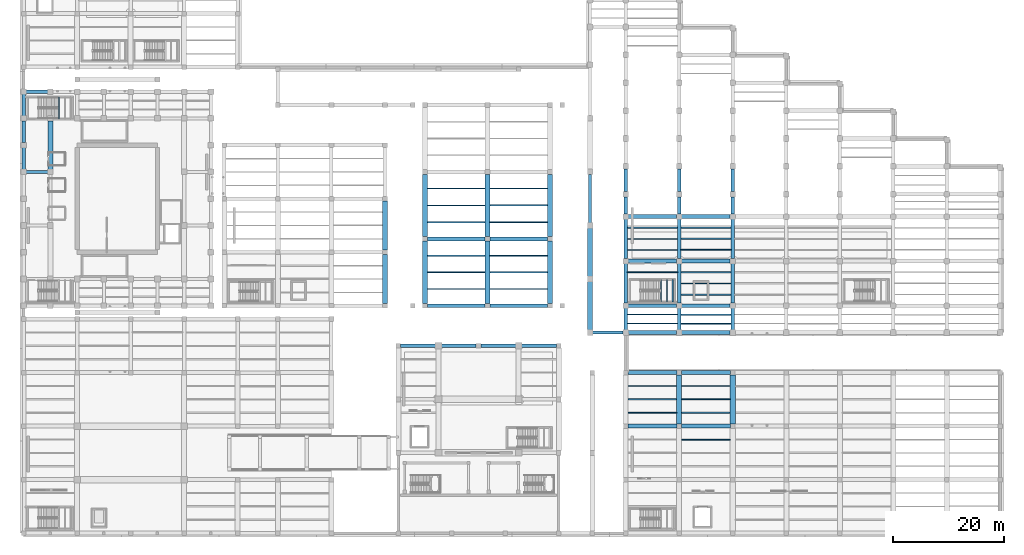
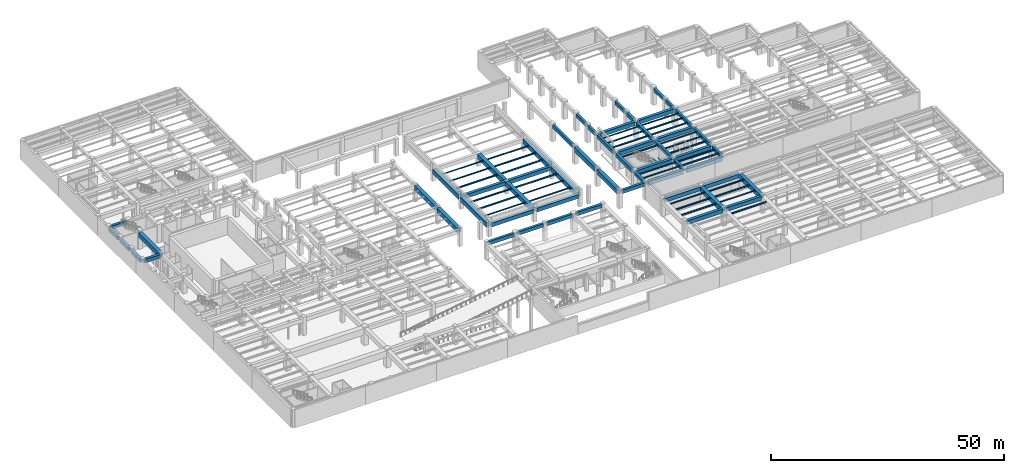
# One storey, part 17 of 45: 92 beams.
"""IFC4 building model written with IfcOpenShell, lengths in metres."""

from ifc_helpers import new_model, si_unit, direction, frame, origin, origin_2d, place, context, subcontext, project, spatial, rectangle, i_section, extrude, material, material_profile, profile_set, type_object, element, save


model = new_model("IFC4")

# Units and contexts
model_context = context("Model", 3, precision=1e-05, world=origin(), true_north=direction((0.0, 1.0)))
body_context = subcontext(model_context, "Body", "Model", "MODEL_VIEW")
ifc_project = project(units=[si_unit("LENGTHUNIT", "METRE"), si_unit("AREAUNIT", "SQUARE_METRE"), si_unit("VOLUMEUNIT", "CUBIC_METRE"), si_unit("PLANEANGLEUNIT", "RADIAN"), si_unit("MASSUNIT", "GRAM", prefix="KILO")], contexts=[model_context])

# Site, building, storey
site_placement = place(None, origin())
site = spatial("IfcSite", under=ifc_project, at=site_placement, CompositionType="ELEMENT")
building_placement = place(site_placement, origin())
building = spatial("IfcBuilding", under=site, at=building_placement, Name="Mavantir Sound Aquarium", CompositionType="ELEMENT")
storey_placement = place(building_placement, frame((0.0, 0.0, -4.800048828125)))
storey = spatial("IfcBuildingStorey", under=building, at=storey_placement, Name="B1", CompositionType="ELEMENT", Elevation=-4.800048828125)

# Beams
ifc_material_1 = material(Name="Concrete C40/50", Category="concrete")
ifc_material_profile_1 = material_profile(ifc_material_1, rectangle(XDim=0.60009765625, YDim=0.89990234375, at=origin_2d()), Name="RC 600X900")
ifc_profile_set_1 = profile_set([ifc_material_profile_1], Name="Concrete C40/50")
beam_type_1 = type_object("IfcBeamType", Name="BM-RC600X900-E", PredefinedType="BEAM", material=ifc_profile_set_1)
beam_1_placement = place(storey_placement, frame((0.449951171875, 79.199951171875, 3.946044921875), z_axis=(1.0, 0.0, 0.0), x_axis=(0.0, 1.0, 0.0)))
element("IfcBeam", 1, at=beam_1_placement, inside=storey, type_object=beam_type_1, Name="B1 primary beam RCB-09 472", PredefinedType="BEAM", context=body_context, shape_type="SweptSolid", body=[
    extrude(rectangle(XDim=0.60009765625, YDim=0.89990234375, at=origin_2d()), origin(), (0.0, 0.0, 1.0), 3.900146484375),
])
for number, where, z_axis, x_axis, name in (
    (2, (0.0, 65.25, 3.946044921875), (0.0, 1.0, 0.0), (-1.0, 0.0, 0.0), "B1 primary girder RCB-09 484"),
    (3, (0.0, 70.050048828125, 3.946044921875), (0.0, 1.0, 0.0), (-1.0, 0.0, 0.0), "B1 primary girder RCB-09 485"),
    (4, (0.0, 74.85009765625, 3.946044921875), (0.0, 1.0, 0.0), (-1.0, 0.0, 0.0), "B1 primary girder RCB-09 486"),
):
    element("IfcBeam", number, at=place(storey_placement, frame(where, z_axis=z_axis, x_axis=x_axis)), inside=storey, type_object=beam_type_1, Name=name, PredefinedType="BEAM", context=body_context, shape_type="SweptSolid", body=[
        extrude(rectangle(XDim=0.60009765625, YDim=0.89990234375, at=origin_2d()), origin(), (0.0, 0.0, 1.0), 3.89990234375),
    ])
beam_2_placement = place(storey_placement, frame((102.050048828125, 36.0, 4.01611328125), z_axis=(1.0, 0.0, 0.0), x_axis=(0.0, 1.0, 0.0)))
element("IfcBeam", 5, at=beam_2_placement, inside=storey, type_object=beam_type_1, Name="B1 primary beam RCB-09 583", PredefinedType="BEAM", context=body_context, shape_type="SweptSolid", body=[
    extrude(rectangle(XDim=0.60009765625, YDim=0.89990234375, at=origin_2d()), origin(), (0.0, 0.0, 1.0), 5.5),
])
beam_3_placement = place(storey_placement, frame((101.60009765625, 55.64990234375, 4.01611328125), z_axis=(0.0, 1.0, 0.0), x_axis=(-1.0, 0.0, 0.0)))
element("IfcBeam", 6, at=beam_3_placement, inside=storey, type_object=beam_type_1, Name="B1 primary girder RCB-09 625", PredefinedType="BEAM", context=body_context, shape_type="SweptSolid", body=[
    extrude(rectangle(XDim=0.60009765625, YDim=0.89990234375, at=origin_2d()), origin(), (0.0, 0.0, 1.0), 8.7001953125),
])
for number, where, z_axis, x_axis, name in (
    (7, (67.625, 33.60009765625, 4.046142578125), (1.0, 0.0, 0.0), (0.0, 1.0, 0.0), "B1 primary beam RCB-09 793"),
    (8, (74.85009765625, 33.60009765625, 4.046142578125), (1.0, 0.0, 0.0), (0.0, 1.0, 0.0), "B1 primary beam RCB-09 794"),
):
    element("IfcBeam", number, at=place(storey_placement, frame(where, z_axis=z_axis, x_axis=x_axis)), inside=storey, type_object=beam_type_1, Name=name, PredefinedType="BEAM", context=body_context, shape_type="SweptSolid", body=[
        extrude(rectangle(XDim=0.60009765625, YDim=0.89990234375, at=origin_2d()), origin(), (0.0, 0.0, 1.0), 6.324951171875),
    ])
beam_4_placement = place(storey_placement, frame((82.02490234375, 33.60009765625, 4.046142578125), z_axis=(1.0, 0.0, 0.0), x_axis=(0.0, 1.0, 0.0)))
element("IfcBeam", 9, at=beam_4_placement, inside=storey, type_object=beam_type_1, Name="B1 primary beam RCB-09 795", PredefinedType="BEAM", context=body_context, shape_type="SweptSolid", body=[
    extrude(rectangle(XDim=0.60009765625, YDim=0.89990234375, at=origin_2d()), origin(), (0.0, 0.0, 1.0), 6.3251953125),
])
beam_5_placement = place(storey_placement, frame((89.25, 33.60009765625, 4.046142578125), z_axis=(1.0, 0.0, 0.0), x_axis=(0.0, 1.0, 0.0)))
element("IfcBeam", 10, at=beam_5_placement, inside=storey, type_object=beam_type_1, Name="B1 primary beam RCB-09 796", PredefinedType="BEAM", context=body_context, shape_type="SweptSolid", body=[
    extrude(rectangle(XDim=0.60009765625, YDim=0.89990234375, at=origin_2d()), origin(), (0.0, 0.0, 1.0), 6.324951171875),
])
ifc_material_profile_2 = material_profile(ifc_material_1, rectangle(XDim=0.60009765625, YDim=0.89990234375, at=origin_2d()), Name="RC 600X900")
ifc_profile_set_2 = profile_set([ifc_material_profile_2], Name="Concrete C40/50")
beam_type_2 = type_object("IfcBeamType", Name="BM-RC600X900-I", PredefinedType="BEAM", material=ifc_profile_set_2)
for number, where, z_axis, x_axis, name in (
    (11, (0.449951171875, 64.800048828125, 3.946044921875), (1.0, 0.0, 0.0), (0.0, 1.0, 0.0), "B1 primary beam RCB-09 465"),
    (12, (108.0, 36.449951171875, 4.01611328125), (0.0, 1.0, 0.0), (-1.0, 0.0, 0.0), "B1 primary girder RCB-09 630"),
):
    element("IfcBeam", number, at=place(storey_placement, frame(where, z_axis=z_axis, x_axis=x_axis)), inside=storey, type_object=beam_type_2, Name=name, PredefinedType="BEAM", context=body_context, shape_type="SweptSolid", body=[
        extrude(rectangle(XDim=0.60009765625, YDim=0.89990234375, at=origin_2d()), origin(), (0.0, 0.0, 1.0), 3.900146484375),
    ])
for number, where, z_axis, x_axis, name in (
    (13, (108.0, 41.25, 4.01611328125), (0.0, 1.0, 0.0), (-1.0, 0.0, 0.0), "B1 primary girder RCB-09 631"),
    (14, (108.0, 49.25, 4.01611328125), (0.0, 1.0, 0.0), (-1.0, 0.0, 0.0), "B1 primary girder RCB-09 632"),
):
    element("IfcBeam", number, at=place(storey_placement, frame(where, z_axis=z_axis, x_axis=x_axis)), inside=storey, type_object=beam_type_2, Name=name, PredefinedType="BEAM", context=body_context, shape_type="SweptSolid", body=[
        extrude(rectangle(XDim=0.60009765625, YDim=0.89990234375, at=origin_2d()), origin(), (0.0, 0.0, 1.0), 7.10009765625),
    ])
beam_6_placement = place(storey_placement, frame((108.0, 57.25, 4.01611328125), z_axis=(0.0, 1.0, 0.0), x_axis=(-1.0, 0.0, 0.0)))
element("IfcBeam", 15, at=beam_6_placement, inside=storey, type_object=beam_type_2, Name="B1 primary girder RCB-09 633", PredefinedType="BEAM", context=body_context, shape_type="SweptSolid", body=[
    extrude(rectangle(XDim=0.60009765625, YDim=0.89990234375, at=origin_2d()), origin(), (0.0, 0.0, 1.0), 3.10009765625),
])
beam_7_placement = place(storey_placement, frame((108.0, 61.25, 4.01611328125), z_axis=(0.0, 1.0, 0.0), x_axis=(-1.0, 0.0, 0.0)))
element("IfcBeam", 16, at=beam_7_placement, inside=storey, type_object=beam_type_2, Name="B1 primary girder RCB-09 634", PredefinedType="BEAM", context=body_context, shape_type="SweptSolid", body=[
    extrude(rectangle(XDim=0.60009765625, YDim=0.89990234375, at=origin_2d()), origin(), (0.0, 0.0, 1.0), 4.10009765625),
])
beam_8_placement = place(storey_placement, frame((117.60009765625, 36.449951171875, 4.01611328125), z_axis=(0.0, 1.0, 0.0), x_axis=(-1.0, 0.0, 0.0)))
element("IfcBeam", 17, at=beam_8_placement, inside=storey, type_object=beam_type_2, Name="B1 primary girder RCB-09 641", PredefinedType="BEAM", context=body_context, shape_type="SweptSolid", body=[
    extrude(rectangle(XDim=0.60009765625, YDim=0.89990234375, at=origin_2d()), origin(), (0.0, 0.0, 1.0), 3.900146484375),
])
for number, where, z_axis, x_axis, name in (
    (18, (117.60009765625, 41.25, 4.01611328125), (0.0, 1.0, 0.0), (-1.0, 0.0, 0.0), "B1 primary girder RCB-09 642"),
    (19, (117.60009765625, 49.25, 4.01611328125), (0.0, 1.0, 0.0), (-1.0, 0.0, 0.0), "B1 primary girder RCB-09 643"),
):
    element("IfcBeam", number, at=place(storey_placement, frame(where, z_axis=z_axis, x_axis=x_axis)), inside=storey, type_object=beam_type_2, Name=name, PredefinedType="BEAM", context=body_context, shape_type="SweptSolid", body=[
        extrude(rectangle(XDim=0.60009765625, YDim=0.89990234375, at=origin_2d()), origin(), (0.0, 0.0, 1.0), 7.10009765625),
    ])
beam_9_placement = place(storey_placement, frame((117.60009765625, 57.25, 4.01611328125), z_axis=(0.0, 1.0, 0.0), x_axis=(-1.0, 0.0, 0.0)))
element("IfcBeam", 20, at=beam_9_placement, inside=storey, type_object=beam_type_2, Name="B1 primary girder RCB-09 644", PredefinedType="BEAM", context=body_context, shape_type="SweptSolid", body=[
    extrude(rectangle(XDim=0.60009765625, YDim=0.89990234375, at=origin_2d()), origin(), (0.0, 0.0, 1.0), 3.10009765625),
])
beam_10_placement = place(storey_placement, frame((117.60009765625, 61.25, 4.01611328125), z_axis=(0.0, 1.0, 0.0), x_axis=(-1.0, 0.0, 0.0)))
element("IfcBeam", 21, at=beam_10_placement, inside=storey, type_object=beam_type_2, Name="B1 primary girder RCB-09 645", PredefinedType="BEAM", context=body_context, shape_type="SweptSolid", body=[
    extrude(rectangle(XDim=0.60009765625, YDim=0.89990234375, at=origin_2d()), origin(), (0.0, 0.0, 1.0), 4.10009765625),
])
beam_11_placement = place(storey_placement, frame((127.199951171875, 36.449951171875, 4.01611328125), z_axis=(0.0, 1.0, 0.0), x_axis=(-1.0, 0.0, 0.0)))
element("IfcBeam", 22, at=beam_11_placement, inside=storey, type_object=beam_type_2, Name="B1 primary girder RCB-09 652", PredefinedType="BEAM", context=body_context, shape_type="SweptSolid", body=[
    extrude(rectangle(XDim=0.60009765625, YDim=0.89990234375, at=origin_2d()), origin(), (0.0, 0.0, 1.0), 3.900146484375),
])
for number, where, z_axis, x_axis, name in (
    (23, (127.199951171875, 41.25, 4.0361328125), (0.0, 1.0, 0.0), (-1.0, 0.0, 0.0), "B1 primary girder RCB-09 653"),
    (24, (127.199951171875, 49.25, 4.0361328125), (0.0, 1.0, 0.0), (-1.0, 0.0, 0.0), "B1 primary girder RCB-09 654"),
):
    element("IfcBeam", number, at=place(storey_placement, frame(where, z_axis=z_axis, x_axis=x_axis)), inside=storey, type_object=beam_type_2, Name=name, PredefinedType="BEAM", context=body_context, shape_type="SweptSolid", body=[
        extrude(rectangle(XDim=0.60009765625, YDim=0.89990234375, at=origin_2d()), origin(), (0.0, 0.0, 1.0), 7.10009765625),
    ])
beam_12_placement = place(storey_placement, frame((127.199951171875, 57.25, 4.0361328125), z_axis=(0.0, 1.0, 0.0), x_axis=(-1.0, 0.0, 0.0)))
element("IfcBeam", 25, at=beam_12_placement, inside=storey, type_object=beam_type_2, Name="B1 primary girder RCB-09 655", PredefinedType="BEAM", context=body_context, shape_type="SweptSolid", body=[
    extrude(rectangle(XDim=0.60009765625, YDim=0.89990234375, at=origin_2d()), origin(), (0.0, 0.0, 1.0), 3.10009765625),
])
beam_13_placement = place(storey_placement, frame((127.199951171875, 61.25, 4.0361328125), z_axis=(0.0, 1.0, 0.0), x_axis=(-1.0, 0.0, 0.0)))
element("IfcBeam", 26, at=beam_13_placement, inside=storey, type_object=beam_type_2, Name="B1 primary girder RCB-09 656", PredefinedType="BEAM", context=body_context, shape_type="SweptSolid", body=[
    extrude(rectangle(XDim=0.60009765625, YDim=0.89990234375, at=origin_2d()), origin(), (0.0, 0.0, 1.0), 4.10009765625),
])
ifc_material_profile_3 = material_profile(ifc_material_1, rectangle(XDim=0.699951171875, YDim=1.0, at=origin_2d()), Name="RC 700X1000")
ifc_profile_set_3 = profile_set([ifc_material_profile_3], Name="Concrete C40/50")
beam_type_3 = type_object("IfcBeamType", Name="BM-RC700X1000-E", PredefinedType="BEAM", material=ifc_profile_set_3)
for number, where, z_axis, x_axis, name in (
    (27, (108.449951171875, 36.0, 3.966064453125), (1.0, 0.0, 0.0), (0.0, 1.0, 0.0), "B1 primary beam RCB-10 584"),
    (28, (118.050048828125, 36.0, 3.966064453125), (1.0, 0.0, 0.0), (0.0, 1.0, 0.0), "B1 primary beam RCB-10 585"),
):
    element("IfcBeam", number, at=place(storey_placement, frame(where, z_axis=z_axis, x_axis=x_axis)), inside=storey, type_object=beam_type_3, Name=name, PredefinedType="BEAM", context=body_context, shape_type="SweptSolid", body=[
        extrude(rectangle(XDim=0.699951171875, YDim=1.0, at=origin_2d()), origin(), (0.0, 0.0, 1.0), 8.699951171875),
    ])
for number, where, z_axis, x_axis, name in (
    (29, (108.425048828125, 28.800048828125, 3.946044921875), (1.0, 0.0, 0.0), (0.0, 1.0, 0.0), "B1 primary beam RCB-10 758"),
    (30, (118.02490234375, 28.800048828125, 3.946044921875), (1.0, 0.0, 0.0), (0.0, 1.0, 0.0), "B1 primary beam RCB-10 759"),
):
    element("IfcBeam", number, at=place(storey_placement, frame(where, z_axis=z_axis, x_axis=x_axis)), inside=storey, type_object=beam_type_3, Name=name, PredefinedType="BEAM", context=body_context, shape_type="SweptSolid", body=[
        extrude(rectangle(XDim=0.699951171875, YDim=1.0, at=origin_2d()), origin(), (0.0, 0.0, 1.0), 8.75),
    ])
ifc_material_profile_4 = material_profile(ifc_material_1, rectangle(XDim=0.699951171875, YDim=1.0, at=origin_2d()), Name="RC 700X1000")
ifc_profile_set_4 = profile_set([ifc_material_profile_4], Name="Concrete C40/50")
beam_type_4 = type_object("IfcBeamType", Name="BM-RC700X1000-I", PredefinedType="BEAM", material=ifc_profile_set_4)
beam_14_placement = place(storey_placement, frame((72.425048828125, 40.800048828125, 2.796142578125), z_axis=(1.0, 0.0, 0.0), x_axis=(0.0, 1.0, 0.0)))
element("IfcBeam", 31, at=beam_14_placement, inside=storey, type_object=beam_type_4, Name="B1 primary beam RCB-10 422", PredefinedType="BEAM", context=body_context, shape_type="SweptSolid", body=[
    extrude(rectangle(XDim=0.699951171875, YDim=1.0, at=origin_2d()), origin(), (0.0, 0.0, 1.0), 10.349853515625),
])
beam_15_placement = place(storey_placement, frame((83.625, 40.800048828125, 2.796142578125), z_axis=(1.0, 0.0, 0.0), x_axis=(0.0, 1.0, 0.0)))
element("IfcBeam", 32, at=beam_15_placement, inside=storey, type_object=beam_type_4, Name="B1 primary beam RCB-10 423", PredefinedType="BEAM", context=body_context, shape_type="SweptSolid", body=[
    extrude(rectangle(XDim=0.699951171875, YDim=1.0, at=origin_2d()), origin(), (0.0, 0.0, 1.0), 10.35009765625),
])
beam_16_placement = place(storey_placement, frame((72.425048828125, 52.800048828125, 2.796142578125), z_axis=(1.0, 0.0, 0.0), x_axis=(0.0, 1.0, 0.0)))
element("IfcBeam", 33, at=beam_16_placement, inside=storey, type_object=beam_type_4, Name="B1 primary beam RCB-10 424", PredefinedType="BEAM", context=body_context, shape_type="SweptSolid", body=[
    extrude(rectangle(XDim=0.699951171875, YDim=1.0, at=origin_2d()), origin(), (0.0, 0.0, 1.0), 10.349853515625),
])
beam_17_placement = place(storey_placement, frame((83.625, 52.800048828125, 2.796142578125), z_axis=(1.0, 0.0, 0.0), x_axis=(0.0, 1.0, 0.0)))
element("IfcBeam", 34, at=beam_17_placement, inside=storey, type_object=beam_type_4, Name="B1 primary beam RCB-10 425", PredefinedType="BEAM", context=body_context, shape_type="SweptSolid", body=[
    extrude(rectangle(XDim=0.699951171875, YDim=1.0, at=origin_2d()), origin(), (0.0, 0.0, 1.0), 10.35009765625),
])
for number, where, z_axis, x_axis, name in (
    (35, (108.449951171875, 40.800048828125, 3.966064453125), (1.0, 0.0, 0.0), (0.0, 1.0, 0.0), "B1 primary beam RCB-10 591"),
    (36, (118.050048828125, 40.800048828125, 3.966064453125), (1.0, 0.0, 0.0), (0.0, 1.0, 0.0), "B1 primary beam RCB-10 592"),
    (37, (108.449951171875, 48.800048828125, 3.966064453125), (1.0, 0.0, 0.0), (0.0, 1.0, 0.0), "B1 primary beam RCB-10 598"),
    (38, (118.050048828125, 48.800048828125, 4.006103515625), (1.0, 0.0, 0.0), (0.0, 1.0, 0.0), "B1 primary beam RCB-10 599"),
    (39, (108.449951171875, 56.800048828125, 3.966064453125), (1.0, 0.0, 0.0), (0.0, 1.0, 0.0), "B1 primary beam RCB-10 605"),
    (40, (118.050048828125, 56.800048828125, 4.006103515625), (1.0, 0.0, 0.0), (0.0, 1.0, 0.0), "B1 primary beam RCB-10 606"),
):
    element("IfcBeam", number, at=place(storey_placement, frame(where, z_axis=z_axis, x_axis=x_axis)), inside=storey, type_object=beam_type_4, Name=name, PredefinedType="BEAM", context=body_context, shape_type="SweptSolid", body=[
        extrude(rectangle(XDim=0.699951171875, YDim=1.0, at=origin_2d()), origin(), (0.0, 0.0, 1.0), 8.699951171875),
    ])
for number, where, z_axis, x_axis, name in (
    (41, (108.425048828125, 19.199951171875, 3.946044921875), (1.0, 0.0, 0.0), (0.0, 1.0, 0.0), "B1 primary beam RCB-10 751"),
    (42, (118.02490234375, 19.199951171875, 3.946044921875), (1.0, 0.0, 0.0), (0.0, 1.0, 0.0), "B1 primary beam RCB-10 752"),
):
    element("IfcBeam", number, at=place(storey_placement, frame(where, z_axis=z_axis, x_axis=x_axis)), inside=storey, type_object=beam_type_4, Name=name, PredefinedType="BEAM", context=body_context, shape_type="SweptSolid", body=[
        extrude(rectangle(XDim=0.699951171875, YDim=1.0, at=origin_2d()), origin(), (0.0, 0.0, 1.0), 8.75),
    ])
ifc_material_profile_5 = material_profile(ifc_material_1, rectangle(XDim=0.89990234375, YDim=1.199951171875, at=origin_2d()), Name="RC 900X1200")
ifc_profile_set_5 = profile_set([ifc_material_profile_5], Name="Concrete C40/50")
beam_type_5 = type_object("IfcBeamType", Name="BM-RC900X1200-E", PredefinedType="BEAM", material=ifc_profile_set_5)
for number, where, z_axis, x_axis, name in (
    (43, (64.800048828125, 41.22509765625, 3.796142578125), (0.0, 1.0, 0.0), (-1.0, 0.0, 0.0), "B1 primary girder RCB-12 532"),
    (44, (64.800048828125, 50.824951171875, 3.796142578125), (0.0, 1.0, 0.0), (-1.0, 0.0, 0.0), "B1 primary girder RCB-12 533"),
):
    element("IfcBeam", number, at=place(storey_placement, frame(where, z_axis=z_axis, x_axis=x_axis)), inside=storey, type_object=beam_type_5, Name=name, PredefinedType="BEAM", context=body_context, shape_type="SweptSolid", body=[
        extrude(rectangle(XDim=0.89990234375, YDim=1.199951171875, at=origin_2d()), origin(), (0.0, 0.0, 1.0), 8.75),
    ])
for number, where, z_axis, x_axis, name in (
    (45, (101.60009765625, 36.449951171875, 3.865966796875), (0.0, 1.0, 0.0), (-1.0, 0.0, 0.0), "B1 primary girder RCB-12 623"),
    (46, (101.60009765625, 46.050048828125, 3.865966796875), (0.0, 1.0, 0.0), (-1.0, 0.0, 0.0), "B1 primary girder RCB-12 624"),
):
    element("IfcBeam", number, at=place(storey_placement, frame(where, z_axis=z_axis, x_axis=x_axis)), inside=storey, type_object=beam_type_5, Name=name, PredefinedType="BEAM", context=body_context, shape_type="SweptSolid", body=[
        extrude(rectangle(XDim=0.89990234375, YDim=1.199951171875, at=origin_2d()), origin(), (0.0, 0.0, 1.0), 8.699951171875),
    ])
ifc_material_profile_6 = material_profile(ifc_material_1, rectangle(XDim=0.89990234375, YDim=1.199951171875, at=origin_2d()), Name="RC 900X1200")
ifc_profile_set_6 = profile_set([ifc_material_profile_6], Name="Concrete C40/50")
beam_type_6 = type_object("IfcBeamType", Name="BM-RC900X1200-I", PredefinedType="BEAM", material=ifc_profile_set_6)
for number, where, z_axis, x_axis, name in (
    (47, (72.0, 41.22509765625, 2.696044921875), (0.0, 1.0, 0.0), (-1.0, 0.0, 0.0), "B1 primary girder RCB-12 438"),
    (48, (72.0, 53.22509765625, 2.696044921875), (0.0, 1.0, 0.0), (-1.0, 0.0, 0.0), "B1 primary girder RCB-12 439"),
    (49, (83.199951171875, 41.22509765625, 2.696044921875), (0.0, 1.0, 0.0), (-1.0, 0.0, 0.0), "B1 primary girder RCB-12 441"),
    (50, (83.199951171875, 53.22509765625, 2.696044921875), (0.0, 1.0, 0.0), (-1.0, 0.0, 0.0), "B1 primary girder RCB-12 442"),
    (51, (94.39990234375, 41.22509765625, 2.696044921875), (0.0, 1.0, 0.0), (-1.0, 0.0, 0.0), "B1 primary girder RCB-12 444"),
    (52, (94.39990234375, 53.22509765625, 2.696044921875), (0.0, 1.0, 0.0), (-1.0, 0.0, 0.0), "B1 primary girder RCB-12 445"),
):
    element("IfcBeam", number, at=place(storey_placement, frame(where, z_axis=z_axis, x_axis=x_axis)), inside=storey, type_object=beam_type_6, Name=name, PredefinedType="BEAM", context=body_context, shape_type="SweptSolid", body=[
        extrude(rectangle(XDim=0.89990234375, YDim=1.199951171875, at=origin_2d()), origin(), (0.0, 0.0, 1.0), 11.14990234375),
    ])
beam_18_placement = place(storey_placement, frame((4.800048828125, 65.25, 3.796142578125), z_axis=(0.0, 1.0, 0.0), x_axis=(-1.0, 0.0, 0.0)))
element("IfcBeam", 53, at=beam_18_placement, inside=storey, type_object=beam_type_6, Name="B1 primary girder RCB-12 489", PredefinedType="BEAM", context=body_context, shape_type="SweptSolid", body=[
    extrude(rectangle(XDim=0.89990234375, YDim=1.199951171875, at=origin_2d()), origin(), (0.0, 0.0, 1.0), 8.699951171875),
])
for number, where, z_axis, x_axis, name in (
    (54, (117.60009765625, 19.625, 3.845947265625), (0.0, 1.0, 0.0), (-1.0, 0.0, 0.0), "B1 primary girder RCB-12 770"),
    (55, (127.199951171875, 19.625, 3.845947265625), (0.0, 1.0, 0.0), (-1.0, 0.0, 0.0), "B1 primary girder RCB-12 773"),
):
    element("IfcBeam", number, at=place(storey_placement, frame(where, z_axis=z_axis, x_axis=x_axis)), inside=storey, type_object=beam_type_6, Name=name, PredefinedType="BEAM", context=body_context, shape_type="SweptSolid", body=[
        extrude(rectangle(XDim=0.89990234375, YDim=1.199951171875, at=origin_2d()), origin(), (0.0, 0.0, 1.0), 8.75),
    ])
ifc_material_2 = material(Name="Structural Steel ASTM A992 Gr50", Category="steel")
ifc_material_profile_7 = material_profile(ifc_material_2, i_section(OverallWidth=0.202880859375, OverallDepth=0.202880859375, WebThickness=0.007080078125, FlangeThickness=0.010986328125, FilletRadius=0.010009765625, at=origin_2d()), Name="W200X46")
ifc_profile_set_7 = profile_set([ifc_material_profile_7], Name="Structural Steel ASTM A992 Gr50")
beam_type_7 = type_object("IfcBeamType", Name="BM-W200X46-I", PredefinedType="LINTEL", material=ifc_profile_set_7)
for number, where, z_axis, x_axis, name in (
    (56, (6.35009765625, 74.27490234375, 2.095458984375), (0.0, 1.0, 0.0), (-1.0, 0.0, 0.0), "Stair ST2 landing support beam 19"),
    (57, (114.35009765625, 41.47509765625, 2.095458984375), (0.0, 1.0, 0.0), (-1.0, 0.0, 0.0), "Stair ST4 landing support beam 55"),
    (58, (115.389892578125, 41.47509765625, 2.095458984375), (0.0, 1.0, 0.0), (-1.0, 0.0, 0.0), "Stair ST4 landing support beam 56"),
    (59, (116.429931640625, 41.47509765625, 2.095458984375), (0.0, 1.0, 0.0), (-1.0, 0.0, 0.0), "Stair ST4 landing support beam 57"),
):
    element("IfcBeam", number, at=place(storey_placement, frame(where, z_axis=z_axis, x_axis=x_axis)), inside=storey, type_object=beam_type_7, Name=name, PredefinedType="LINTEL", context=body_context, shape_type="SweptSolid", body=[
        extrude(i_section(OverallWidth=0.202880859375, OverallDepth=0.202880859375, WebThickness=0.007080078125, FlangeThickness=0.010986328125, FilletRadius=0.010009765625, at=origin_2d()), origin(), (0.0, 0.0, 1.0), 4.0),
    ])
ifc_material_profile_8 = material_profile(ifc_material_2, i_section(OverallWidth=0.202880859375, OverallDepth=0.251953125, WebThickness=0.008056640625, FlangeThickness=0.013427734375, FilletRadius=0.011962890625, at=origin_2d()), Name="W250X58")
ifc_profile_set_8 = profile_set([ifc_material_profile_8], Name="Structural Steel ASTM A992 Gr50")
beam_type_8 = type_object("IfcBeamType", Name="BM-W250X58-I", PredefinedType="JOIST", material=ifc_profile_set_8)
for number, where, z_axis, x_axis, name in (
    (60, (72.449951171875, 43.800048828125, 3.170166015625), (1.0, 0.0, 0.0), (0.0, 1.0, 0.0), "B1 secondary floor joist SJ-25 160"),
    (61, (83.64990234375, 46.800048828125, 3.170166015625), (1.0, 0.0, 0.0), (0.0, 1.0, 0.0), "B1 secondary floor joist SJ-25 164"),
    (62, (72.449951171875, 61.800048828125, 3.170166015625), (1.0, 0.0, 0.0), (0.0, 1.0, 0.0), "B1 secondary floor joist SJ-25 168"),
):
    element("IfcBeam", number, at=place(storey_placement, frame(where, z_axis=z_axis, x_axis=x_axis)), inside=storey, type_object=beam_type_8, Name=name, PredefinedType="JOIST", context=body_context, shape_type="SweptSolid", body=[
        extrude(i_section(OverallWidth=0.202880859375, OverallDepth=0.251953125, WebThickness=0.008056640625, FlangeThickness=0.013427734375, FilletRadius=0.011962890625, at=origin_2d()), origin(), (0.0, 0.0, 1.0), 10.300048828125),
    ])
for number, where, z_axis, x_axis, name in (
    (63, (108.300048828125, 39.199951171875, 4.340087890625), (1.0, 0.0, 0.0), (0.0, 1.0, 0.0), "B1 secondary floor joist SJ-25 268"),
    (64, (117.89990234375, 46.800048828125, 4.380126953125), (1.0, 0.0, 0.0), (0.0, 1.0, 0.0), "B1 secondary floor joist SJ-25 284"),
    (65, (108.300048828125, 54.800048828125, 4.340087890625), (1.0, 0.0, 0.0), (0.0, 1.0, 0.0), "B1 secondary floor joist SJ-25 300"),
):
    element("IfcBeam", number, at=place(storey_placement, frame(where, z_axis=z_axis, x_axis=x_axis)), inside=storey, type_object=beam_type_8, Name=name, PredefinedType="JOIST", context=body_context, shape_type="SweptSolid", body=[
        extrude(i_section(OverallWidth=0.202880859375, OverallDepth=0.251953125, WebThickness=0.008056640625, FlangeThickness=0.013427734375, FilletRadius=0.011962890625, at=origin_2d()), origin(), (0.0, 0.0, 1.0), 9.0),
    ])
beam_19_placement = place(storey_placement, frame((118.050048828125, 21.60009765625, 4.320068359375), z_axis=(1.0, 0.0, 0.0), x_axis=(0.0, 1.0, 0.0)))
element("IfcBeam", 66, at=beam_19_placement, inside=storey, type_object=beam_type_8, Name="B1 secondary floor joist SJ-25 416", PredefinedType="JOIST", context=body_context, shape_type="SweptSolid", body=[
    extrude(i_section(OverallWidth=0.202880859375, OverallDepth=0.251953125, WebThickness=0.008056640625, FlangeThickness=0.013427734375, FilletRadius=0.011962890625, at=origin_2d()), origin(), (0.0, 0.0, 1.0), 8.699951171875),
])
ifc_material_profile_9 = material_profile(ifc_material_2, i_section(OverallWidth=0.205078125, OverallDepth=0.31005859375, WebThickness=0.009521484375, FlangeThickness=0.016357421875, FilletRadius=0.012939453125, at=origin_2d()), Name="W310X74")
ifc_profile_set_9 = profile_set([ifc_material_profile_9], Name="Structural Steel ASTM A992 Gr50")
beam_type_9 = type_object("IfcBeamType", Name="BM-W310X74-I", PredefinedType="JOIST", material=ifc_profile_set_9)
for number, where, z_axis, x_axis, name in (
    (67, (83.64990234375, 43.800048828125, 3.14111328125), (1.0, 0.0, 0.0), (0.0, 1.0, 0.0), "B1 secondary floor joist SJ-31 163"),
    (68, (72.449951171875, 58.800048828125, 3.14111328125), (1.0, 0.0, 0.0), (0.0, 1.0, 0.0), "B1 secondary floor joist SJ-31 167"),
    (69, (83.64990234375, 61.800048828125, 3.14111328125), (1.0, 0.0, 0.0), (0.0, 1.0, 0.0), "B1 secondary floor joist SJ-31 171"),
):
    element("IfcBeam", number, at=place(storey_placement, frame(where, z_axis=z_axis, x_axis=x_axis)), inside=storey, type_object=beam_type_9, Name=name, PredefinedType="JOIST", context=body_context, shape_type="SweptSolid", body=[
        extrude(i_section(OverallWidth=0.205078125, OverallDepth=0.31005859375, WebThickness=0.009521484375, FlangeThickness=0.016357421875, FilletRadius=0.012939453125, at=origin_2d()), origin(), (0.0, 0.0, 1.0), 10.300048828125),
    ])
for number, where, z_axis, x_axis, name in (
    (70, (108.300048828125, 37.60009765625, 4.31103515625), (1.0, 0.0, 0.0), (0.0, 1.0, 0.0), "B1 secondary floor joist SJ-31 267"),
    (71, (117.89990234375, 44.800048828125, 4.35107421875), (1.0, 0.0, 0.0), (0.0, 1.0, 0.0), "B1 secondary floor joist SJ-31 283"),
    (72, (108.300048828125, 52.800048828125, 4.31103515625), (1.0, 0.0, 0.0), (0.0, 1.0, 0.0), "B1 secondary floor joist SJ-31 299"),
    (73, (117.89990234375, 54.800048828125, 4.35107421875), (1.0, 0.0, 0.0), (0.0, 1.0, 0.0), "B1 secondary floor joist SJ-31 303"),
):
    element("IfcBeam", number, at=place(storey_placement, frame(where, z_axis=z_axis, x_axis=x_axis)), inside=storey, type_object=beam_type_9, Name=name, PredefinedType="JOIST", context=body_context, shape_type="SweptSolid", body=[
        extrude(i_section(OverallWidth=0.205078125, OverallDepth=0.31005859375, WebThickness=0.009521484375, FlangeThickness=0.016357421875, FilletRadius=0.012939453125, at=origin_2d()), origin(), (0.0, 0.0, 1.0), 9.0),
    ])
beam_20_placement = place(storey_placement, frame((108.449951171875, 26.39990234375, 4.291015625), z_axis=(1.0, 0.0, 0.0), x_axis=(0.0, 1.0, 0.0)))
element("IfcBeam", 74, at=beam_20_placement, inside=storey, type_object=beam_type_9, Name="B1 secondary floor joist SJ-31 415", PredefinedType="JOIST", context=body_context, shape_type="SweptSolid", body=[
    extrude(i_section(OverallWidth=0.205078125, OverallDepth=0.31005859375, WebThickness=0.009521484375, FlangeThickness=0.016357421875, FilletRadius=0.012939453125, at=origin_2d()), origin(), (0.0, 0.0, 1.0), 8.699951171875),
])
ifc_material_profile_10 = material_profile(ifc_material_2, i_section(OverallWidth=0.25390625, OverallDepth=0.35302734375, WebThickness=0.009521484375, FlangeThickness=0.016357421875, FilletRadius=0.014892578125, at=origin_2d()), Name="W360X91")
ifc_profile_set_10 = profile_set([ifc_material_profile_10], Name="Structural Steel ASTM A992 Gr50")
beam_type_10 = type_object("IfcBeamType", Name="BM-W360X91-I", PredefinedType="JOIST", material=ifc_profile_set_10)
for number, where, z_axis, x_axis, name in (
    (75, (72.449951171875, 49.800048828125, 3.11962890625), (1.0, 0.0, 0.0), (0.0, 1.0, 0.0), "B1 secondary floor joist SJ-36 162"),
    (76, (72.449951171875, 55.800048828125, 3.11962890625), (1.0, 0.0, 0.0), (0.0, 1.0, 0.0), "B1 secondary floor joist SJ-36 166"),
    (77, (83.64990234375, 58.800048828125, 3.11962890625), (1.0, 0.0, 0.0), (0.0, 1.0, 0.0), "B1 secondary floor joist SJ-36 170"),
):
    element("IfcBeam", number, at=place(storey_placement, frame(where, z_axis=z_axis, x_axis=x_axis)), inside=storey, type_object=beam_type_10, Name=name, PredefinedType="JOIST", context=body_context, shape_type="SweptSolid", body=[
        extrude(i_section(OverallWidth=0.25390625, OverallDepth=0.35302734375, WebThickness=0.009521484375, FlangeThickness=0.016357421875, FilletRadius=0.014892578125, at=origin_2d()), origin(), (0.0, 0.0, 1.0), 10.300048828125),
    ])
for number, where, z_axis, x_axis, name in (
    (78, (117.89990234375, 39.199951171875, 4.28955078125), (1.0, 0.0, 0.0), (0.0, 1.0, 0.0), "B1 secondary floor joist SJ-36 270"),
    (79, (117.89990234375, 42.800048828125, 4.32958984375), (1.0, 0.0, 0.0), (0.0, 1.0, 0.0), "B1 secondary floor joist SJ-36 282"),
    (80, (108.300048828125, 50.800048828125, 4.28955078125), (1.0, 0.0, 0.0), (0.0, 1.0, 0.0), "B1 secondary floor joist SJ-36 298"),
    (81, (117.89990234375, 52.800048828125, 4.32958984375), (1.0, 0.0, 0.0), (0.0, 1.0, 0.0), "B1 secondary floor joist SJ-36 302"),
):
    element("IfcBeam", number, at=place(storey_placement, frame(where, z_axis=z_axis, x_axis=x_axis)), inside=storey, type_object=beam_type_10, Name=name, PredefinedType="JOIST", context=body_context, shape_type="SweptSolid", body=[
        extrude(i_section(OverallWidth=0.25390625, OverallDepth=0.35302734375, WebThickness=0.009521484375, FlangeThickness=0.016357421875, FilletRadius=0.014892578125, at=origin_2d()), origin(), (0.0, 0.0, 1.0), 9.0),
    ])
for number, where, z_axis, x_axis, name in (
    (82, (108.449951171875, 24.0, 4.26953125), (1.0, 0.0, 0.0), (0.0, 1.0, 0.0), "B1 secondary floor joist SJ-36 414"),
    (83, (118.050048828125, 26.39990234375, 4.26953125), (1.0, 0.0, 0.0), (0.0, 1.0, 0.0), "B1 secondary floor joist SJ-36 418"),
):
    element("IfcBeam", number, at=place(storey_placement, frame(where, z_axis=z_axis, x_axis=x_axis)), inside=storey, type_object=beam_type_10, Name=name, PredefinedType="JOIST", context=body_context, shape_type="SweptSolid", body=[
        extrude(i_section(OverallWidth=0.25390625, OverallDepth=0.35302734375, WebThickness=0.009521484375, FlangeThickness=0.016357421875, FilletRadius=0.014892578125, at=origin_2d()), origin(), (0.0, 0.0, 1.0), 8.699951171875),
    ])
ifc_material_profile_11 = material_profile(ifc_material_2, i_section(OverallWidth=0.180908203125, OverallDepth=0.4169921875, WebThickness=0.010986328125, FlangeThickness=0.018310546875, FilletRadius=0.014892578125, at=origin_2d()), Name="W410X85")
ifc_profile_set_11 = profile_set([ifc_material_profile_11], Name="Structural Steel ASTM A992 Gr50")
beam_type_11 = type_object("IfcBeamType", Name="BM-W410X85-I", PredefinedType="JOIST", material=ifc_profile_set_11)
for number, where, z_axis, x_axis, name in (
    (84, (72.449951171875, 46.800048828125, 3.087646484375), (1.0, 0.0, 0.0), (0.0, 1.0, 0.0), "B1 secondary floor joist SJ-41 161"),
    (85, (83.64990234375, 49.800048828125, 3.087646484375), (1.0, 0.0, 0.0), (0.0, 1.0, 0.0), "B1 secondary floor joist SJ-41 165"),
    (86, (83.64990234375, 55.800048828125, 3.087646484375), (1.0, 0.0, 0.0), (0.0, 1.0, 0.0), "B1 secondary floor joist SJ-41 169"),
):
    element("IfcBeam", number, at=place(storey_placement, frame(where, z_axis=z_axis, x_axis=x_axis)), inside=storey, type_object=beam_type_11, Name=name, PredefinedType="JOIST", context=body_context, shape_type="SweptSolid", body=[
        extrude(i_section(OverallWidth=0.180908203125, OverallDepth=0.4169921875, WebThickness=0.010986328125, FlangeThickness=0.018310546875, FilletRadius=0.014892578125, at=origin_2d()), origin(), (0.0, 0.0, 1.0), 10.300048828125),
    ])
for number, where, z_axis, x_axis, name in (
    (87, (117.89990234375, 37.60009765625, 4.257568359375), (1.0, 0.0, 0.0), (0.0, 1.0, 0.0), "B1 secondary floor joist SJ-41 269"),
    (88, (108.300048828125, 46.800048828125, 4.257568359375), (1.0, 0.0, 0.0), (0.0, 1.0, 0.0), "B1 secondary floor joist SJ-41 281"),
    (89, (117.89990234375, 50.800048828125, 4.297607421875), (1.0, 0.0, 0.0), (0.0, 1.0, 0.0), "B1 secondary floor joist SJ-41 301"),
):
    element("IfcBeam", number, at=place(storey_placement, frame(where, z_axis=z_axis, x_axis=x_axis)), inside=storey, type_object=beam_type_11, Name=name, PredefinedType="JOIST", context=body_context, shape_type="SweptSolid", body=[
        extrude(i_section(OverallWidth=0.180908203125, OverallDepth=0.4169921875, WebThickness=0.010986328125, FlangeThickness=0.018310546875, FilletRadius=0.014892578125, at=origin_2d()), origin(), (0.0, 0.0, 1.0), 9.0),
    ])
for number, where, z_axis, x_axis, name in (
    (90, (118.050048828125, 16.800048828125, 4.237548828125), (1.0, 0.0, 0.0), (0.0, 1.0, 0.0), "B1 secondary floor joist SJ-41 397"),
    (91, (108.449951171875, 21.60009765625, 4.237548828125), (1.0, 0.0, 0.0), (0.0, 1.0, 0.0), "B1 secondary floor joist SJ-41 413"),
    (92, (118.050048828125, 24.0, 4.237548828125), (1.0, 0.0, 0.0), (0.0, 1.0, 0.0), "B1 secondary floor joist SJ-41 417"),
):
    element("IfcBeam", number, at=place(storey_placement, frame(where, z_axis=z_axis, x_axis=x_axis)), inside=storey, type_object=beam_type_11, Name=name, PredefinedType="JOIST", context=body_context, shape_type="SweptSolid", body=[
        extrude(i_section(OverallWidth=0.180908203125, OverallDepth=0.4169921875, WebThickness=0.010986328125, FlangeThickness=0.018310546875, FilletRadius=0.014892578125, at=origin_2d()), origin(), (0.0, 0.0, 1.0), 8.699951171875),
    ])

save(model, "model.ifc")
